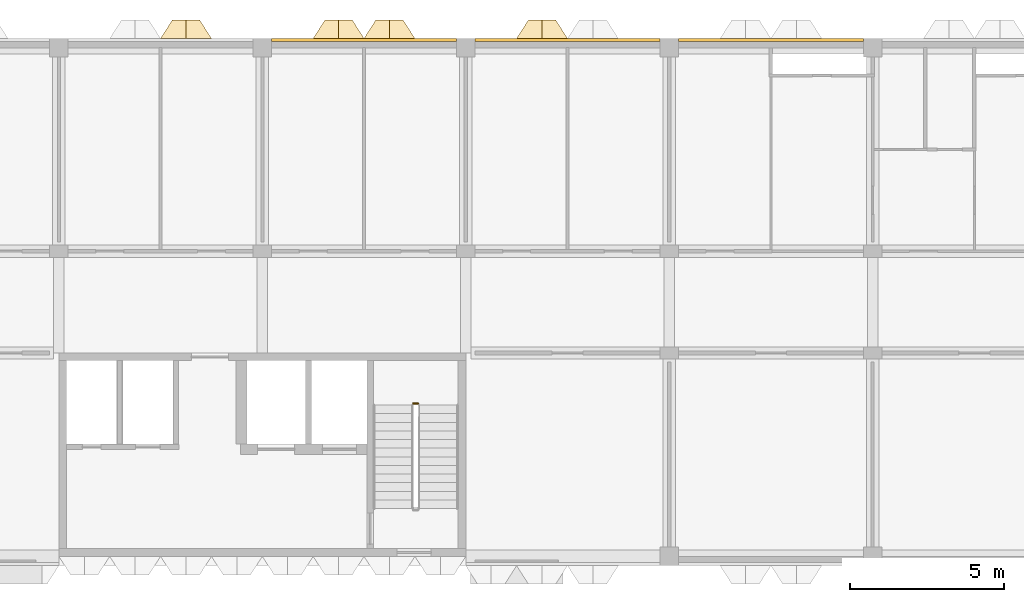
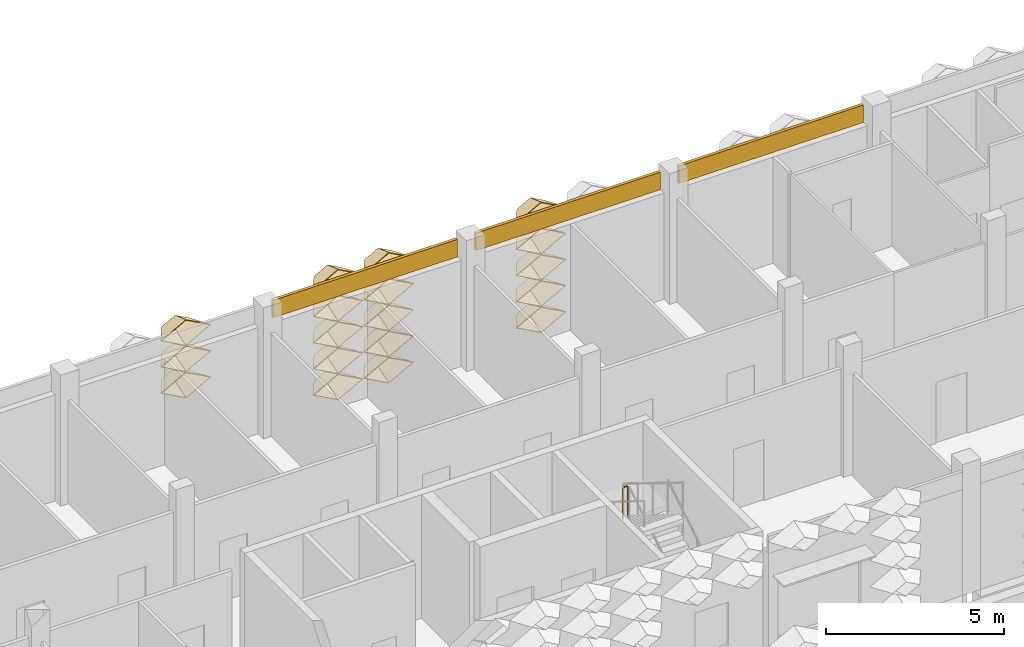
# One storey, part 81 of 87: 21 coverings, 1 railing.
"""IFC4 building model written with IfcOpenShell, lengths in metres."""

from ifc_helpers import new_model, entity, si_unit, direction, frame, frame_2d, origin, origin_2d, place, context, subcontext, project, spatial, rectangle, circle, extrude, material, layer, layer_set, type_object, element, save


model = new_model("IFC4")

# Units and contexts
model_context = context("Model", 3, precision=1e-05, world=origin(), true_north=direction((0.0, 1.0)))
body_context = subcontext(model_context, "Body", "Model", "MODEL_VIEW")
ifc_project = project(units=[si_unit("LENGTHUNIT", "METRE"), si_unit("AREAUNIT", "SQUARE_METRE"), si_unit("VOLUMEUNIT", "CUBIC_METRE"), si_unit("PLANEANGLEUNIT", "RADIAN"), si_unit("MASSUNIT", "GRAM", prefix="KILO")], contexts=[model_context])

# Site, building, storey
site_placement = place(None, origin())
site = spatial("IfcSite", under=ifc_project, at=site_placement, CompositionType="ELEMENT")
building_placement = place(site_placement, origin())
building = spatial("IfcBuilding", under=site, at=building_placement, Name="Lantern Court Research Institute", CompositionType="ELEMENT")
storey_placement = place(building_placement, frame((0.0, 0.0, 5.39990234375)))
storey = spatial("IfcBuildingStorey", under=building, at=storey_placement, Name="L01", CompositionType="ELEMENT", Elevation=5.39990234375)

# Coverings
ifc_material_1 = material(Name="Aluminium composite panel with mineral wool insulation", Category="aluminium")
ifc_layer_1 = layer(ifc_material_1, 0.10009765625)
ifc_layer_set_1 = layer_set([ifc_layer_1], Name="Aluminium composite panel with mineral wool insulation")
covering_type_1 = type_object("IfcCoveringType", Name="Edge fascia panel 100 aluminium faced", PredefinedType="CLADDING", material=ifc_layer_set_1)
for number, where, z_axis, x_axis, name in (
    (1, (46.5, 99.25, 3.650146484375), (0.0, 0.0, 1.0), (1.0, 0.0, 0.0), "Edge fascia V6N L01 07"),
    (2, (53.10009765625, 99.25, 3.650146484375), (0.0, 0.0, 1.0), (1.0, 0.0, 0.0), "Edge fascia V6N L01 08"),
    (3, (59.699951171875, 99.25, 3.650146484375), (0.0, 0.0, 1.0), (1.0, 0.0, 0.0), "Edge fascia V6N L01 09"),
):
    element("IfcCovering", number, at=place(storey_placement, frame(where, z_axis=z_axis, x_axis=x_axis)), inside=storey, type_object=covering_type_1, Name=name, PredefinedType="CLADDING", context=body_context, shape_type="SweptSolid", body=[
        extrude(rectangle(XDim=6.0, YDim=0.10009765625, at=frame_2d((3.0, 0.0))), origin(), (0.0, 0.0, 1.0), 0.599853515625),
    ])
ifc_material_2 = material(Name="Anodised aluminium", Category="aluminium")
ifc_layer_2 = layer(ifc_material_2, 0.01611328125)
ifc_layer_set_2 = layer_set([ifc_layer_2], Name="Anodised aluminium")
covering_type_2 = type_object("IfcCoveringType", Name="Fin cassette 1650 x 900 x 600 aluminium", PredefinedType="CLADDING", material=ifc_layer_set_2)
covering_1_placement = place(storey_placement, frame((48.675048828125, 99.300048828125, 0.4501953125), z_axis=(0.0, 1.0, 0.0), x_axis=(-1.0, 0.0, 0.0)))
cartesian_point_1 = entity("IfcCartesianPoint", [0.824951171875, 0.0])
cartesian_point_2 = entity("IfcCartesianPoint", [0.79150390625, 0.0])
cartesian_point_3 = entity("IfcCartesianPoint", [0.44189453125, 0.0])
cartesian_point_4 = entity("IfcCartesianPoint", [0.43359375, 0.0])
element("IfcCovering", 4, at=covering_1_placement, inside=storey, type_object=covering_type_2, Name="Fin cassette V6N-L01 1.30", PredefinedType="CLADDING", context=body_context, shape_type="SweptSolid", body=[
    entity("IfcExtrudedAreaSolidTapered", entity("IfcArbitraryProfileDefWithVoids", "AREA", None, entity("IfcPolyline", [cartesian_point_1, entity("IfcCartesianPoint", [0.0, 0.449951171875]), entity("IfcCartesianPoint", [-0.824951171875, 0.0]), entity("IfcCartesianPoint", [0.0, -0.449951171875]), cartesian_point_1]), [entity("IfcPolyline", [cartesian_point_2, entity("IfcCartesianPoint", [0.0, 0.431884765625]), entity("IfcCartesianPoint", [-0.79150390625, 0.0]), entity("IfcCartesianPoint", [0.0, -0.431884765625]), cartesian_point_2])]), entity("IfcAxis2Placement3D", entity("IfcCartesianPoint", [0.0, 0.0, 0.0])), entity("IfcDirection", [0.0, 0.0, 1.0]), 0.60009765625, entity("IfcArbitraryProfileDefWithVoids", "AREA", None, entity("IfcPolyline", [cartesian_point_3, entity("IfcCartesianPoint", [0.0, 0.240966796875]), entity("IfcCartesianPoint", [-0.44189453125, 0.0]), entity("IfcCartesianPoint", [0.0, -0.240966796875]), cartesian_point_3]), [entity("IfcPolyline", [cartesian_point_4, entity("IfcCartesianPoint", [0.0, 0.236572265625]), entity("IfcCartesianPoint", [-0.43359375, 0.0]), entity("IfcCartesianPoint", [0.0, -0.236572265625]), cartesian_point_4])])),
])
covering_2_placement = place(storey_placement, frame((50.324951171875, 99.300048828125, 0.4501953125), z_axis=(0.0, 1.0, 0.0), x_axis=(-1.0, 0.0, 0.0)))
cartesian_point_5 = entity("IfcCartesianPoint", [0.824951171875, 0.0])
cartesian_point_6 = entity("IfcCartesianPoint", [0.79150390625, 0.0])
cartesian_point_7 = entity("IfcCartesianPoint", [0.44189453125, 0.0])
cartesian_point_8 = entity("IfcCartesianPoint", [0.43359375, 0.0])
element("IfcCovering", 5, at=covering_2_placement, inside=storey, type_object=covering_type_2, Name="Fin cassette V6N-L01 1.31", PredefinedType="CLADDING", context=body_context, shape_type="SweptSolid", body=[
    entity("IfcExtrudedAreaSolidTapered", entity("IfcArbitraryProfileDefWithVoids", "AREA", None, entity("IfcPolyline", [cartesian_point_5, entity("IfcCartesianPoint", [0.0, 0.449951171875]), entity("IfcCartesianPoint", [-0.824951171875, 0.0]), entity("IfcCartesianPoint", [0.0, -0.449951171875]), cartesian_point_5]), [entity("IfcPolyline", [cartesian_point_6, entity("IfcCartesianPoint", [0.0, 0.431884765625]), entity("IfcCartesianPoint", [-0.79150390625, 0.0]), entity("IfcCartesianPoint", [0.0, -0.431884765625]), cartesian_point_6])]), entity("IfcAxis2Placement3D", entity("IfcCartesianPoint", [0.0, 0.0, 0.0])), entity("IfcDirection", [0.0, 0.0, 1.0]), 0.60009765625, entity("IfcArbitraryProfileDefWithVoids", "AREA", None, entity("IfcPolyline", [cartesian_point_7, entity("IfcCartesianPoint", [0.0, 0.240966796875]), entity("IfcCartesianPoint", [-0.44189453125, 0.0]), entity("IfcCartesianPoint", [0.0, -0.240966796875]), cartesian_point_7]), [entity("IfcPolyline", [cartesian_point_8, entity("IfcCartesianPoint", [0.0, 0.236572265625]), entity("IfcCartesianPoint", [-0.43359375, 0.0]), entity("IfcCartesianPoint", [0.0, -0.236572265625]), cartesian_point_8])])),
])
covering_3_placement = place(storey_placement, frame((55.27490234375, 99.300048828125, 0.4501953125), z_axis=(0.0, 1.0, 0.0), x_axis=(-1.0, 0.0, 0.0)))
cartesian_point_9 = entity("IfcCartesianPoint", [0.824951171875, 0.0])
cartesian_point_10 = entity("IfcCartesianPoint", [0.79150390625, 0.0])
cartesian_point_11 = entity("IfcCartesianPoint", [0.44189453125, 0.0])
cartesian_point_12 = entity("IfcCartesianPoint", [0.43359375, 0.0])
element("IfcCovering", 6, at=covering_3_placement, inside=storey, type_object=covering_type_2, Name="Fin cassette V6N-L01 1.34", PredefinedType="CLADDING", context=body_context, shape_type="SweptSolid", body=[
    entity("IfcExtrudedAreaSolidTapered", entity("IfcArbitraryProfileDefWithVoids", "AREA", None, entity("IfcPolyline", [cartesian_point_9, entity("IfcCartesianPoint", [0.0, 0.449951171875]), entity("IfcCartesianPoint", [-0.824951171875, 0.0]), entity("IfcCartesianPoint", [0.0, -0.449951171875]), cartesian_point_9]), [entity("IfcPolyline", [cartesian_point_10, entity("IfcCartesianPoint", [0.0, 0.431884765625]), entity("IfcCartesianPoint", [-0.79150390625, 0.0]), entity("IfcCartesianPoint", [0.0, -0.431884765625]), cartesian_point_10])]), entity("IfcAxis2Placement3D", entity("IfcCartesianPoint", [0.0, 0.0, 0.0])), entity("IfcDirection", [0.0, 0.0, 1.0]), 0.60009765625, entity("IfcArbitraryProfileDefWithVoids", "AREA", None, entity("IfcPolyline", [cartesian_point_11, entity("IfcCartesianPoint", [0.0, 0.240966796875]), entity("IfcCartesianPoint", [-0.44189453125, 0.0]), entity("IfcCartesianPoint", [0.0, -0.240966796875]), cartesian_point_11]), [entity("IfcPolyline", [cartesian_point_12, entity("IfcCartesianPoint", [0.0, 0.236572265625]), entity("IfcCartesianPoint", [-0.43359375, 0.0]), entity("IfcCartesianPoint", [0.0, -0.236572265625]), cartesian_point_12])])),
])
covering_4_placement = place(storey_placement, frame((48.675048828125, 99.300048828125, 1.35009765625), z_axis=(0.0, 1.0, 0.0), x_axis=(-1.0, 0.0, 0.0)))
cartesian_point_13 = entity("IfcCartesianPoint", [0.824951171875, 0.0])
cartesian_point_14 = entity("IfcCartesianPoint", [0.79150390625, 0.0])
cartesian_point_15 = entity("IfcCartesianPoint", [0.44189453125, 0.0])
cartesian_point_16 = entity("IfcCartesianPoint", [0.43359375, 0.0])
element("IfcCovering", 7, at=covering_4_placement, inside=storey, type_object=covering_type_2, Name="Fin cassette V6N-L01 2.30", PredefinedType="CLADDING", context=body_context, shape_type="SweptSolid", body=[
    entity("IfcExtrudedAreaSolidTapered", entity("IfcArbitraryProfileDefWithVoids", "AREA", None, entity("IfcPolyline", [cartesian_point_13, entity("IfcCartesianPoint", [0.0, 0.449951171875]), entity("IfcCartesianPoint", [-0.824951171875, 0.0]), entity("IfcCartesianPoint", [0.0, -0.449951171875]), cartesian_point_13]), [entity("IfcPolyline", [cartesian_point_14, entity("IfcCartesianPoint", [0.0, 0.431884765625]), entity("IfcCartesianPoint", [-0.79150390625, 0.0]), entity("IfcCartesianPoint", [0.0, -0.431884765625]), cartesian_point_14])]), entity("IfcAxis2Placement3D", entity("IfcCartesianPoint", [0.0, 0.0, 0.0])), entity("IfcDirection", [0.0, 0.0, 1.0]), 0.60009765625, entity("IfcArbitraryProfileDefWithVoids", "AREA", None, entity("IfcPolyline", [cartesian_point_15, entity("IfcCartesianPoint", [0.0, 0.240966796875]), entity("IfcCartesianPoint", [-0.44189453125, 0.0]), entity("IfcCartesianPoint", [0.0, -0.240966796875]), cartesian_point_15]), [entity("IfcPolyline", [cartesian_point_16, entity("IfcCartesianPoint", [0.0, 0.236572265625]), entity("IfcCartesianPoint", [-0.43359375, 0.0]), entity("IfcCartesianPoint", [0.0, -0.236572265625]), cartesian_point_16])])),
])
covering_5_placement = place(storey_placement, frame((50.324951171875, 99.300048828125, 1.35009765625), z_axis=(0.0, 1.0, 0.0), x_axis=(-1.0, 0.0, 0.0)))
cartesian_point_17 = entity("IfcCartesianPoint", [0.824951171875, 0.0])
cartesian_point_18 = entity("IfcCartesianPoint", [0.79150390625, 0.0])
cartesian_point_19 = entity("IfcCartesianPoint", [0.44189453125, 0.0])
cartesian_point_20 = entity("IfcCartesianPoint", [0.43359375, 0.0])
element("IfcCovering", 8, at=covering_5_placement, inside=storey, type_object=covering_type_2, Name="Fin cassette V6N-L01 2.31", PredefinedType="CLADDING", context=body_context, shape_type="SweptSolid", body=[
    entity("IfcExtrudedAreaSolidTapered", entity("IfcArbitraryProfileDefWithVoids", "AREA", None, entity("IfcPolyline", [cartesian_point_17, entity("IfcCartesianPoint", [0.0, 0.449951171875]), entity("IfcCartesianPoint", [-0.824951171875, 0.0]), entity("IfcCartesianPoint", [0.0, -0.449951171875]), cartesian_point_17]), [entity("IfcPolyline", [cartesian_point_18, entity("IfcCartesianPoint", [0.0, 0.431884765625]), entity("IfcCartesianPoint", [-0.79150390625, 0.0]), entity("IfcCartesianPoint", [0.0, -0.431884765625]), cartesian_point_18])]), entity("IfcAxis2Placement3D", entity("IfcCartesianPoint", [0.0, 0.0, 0.0])), entity("IfcDirection", [0.0, 0.0, 1.0]), 0.60009765625, entity("IfcArbitraryProfileDefWithVoids", "AREA", None, entity("IfcPolyline", [cartesian_point_19, entity("IfcCartesianPoint", [0.0, 0.240966796875]), entity("IfcCartesianPoint", [-0.44189453125, 0.0]), entity("IfcCartesianPoint", [0.0, -0.240966796875]), cartesian_point_19]), [entity("IfcPolyline", [cartesian_point_20, entity("IfcCartesianPoint", [0.0, 0.236572265625]), entity("IfcCartesianPoint", [-0.43359375, 0.0]), entity("IfcCartesianPoint", [0.0, -0.236572265625]), cartesian_point_20])])),
])
covering_6_placement = place(storey_placement, frame((55.27490234375, 99.300048828125, 1.35009765625), z_axis=(0.0, 1.0, 0.0), x_axis=(-1.0, 0.0, 0.0)))
cartesian_point_21 = entity("IfcCartesianPoint", [0.824951171875, 0.0])
cartesian_point_22 = entity("IfcCartesianPoint", [0.79150390625, 0.0])
cartesian_point_23 = entity("IfcCartesianPoint", [0.44189453125, 0.0])
cartesian_point_24 = entity("IfcCartesianPoint", [0.43359375, 0.0])
element("IfcCovering", 9, at=covering_6_placement, inside=storey, type_object=covering_type_2, Name="Fin cassette V6N-L01 2.34", PredefinedType="CLADDING", context=body_context, shape_type="SweptSolid", body=[
    entity("IfcExtrudedAreaSolidTapered", entity("IfcArbitraryProfileDefWithVoids", "AREA", None, entity("IfcPolyline", [cartesian_point_21, entity("IfcCartesianPoint", [0.0, 0.449951171875]), entity("IfcCartesianPoint", [-0.824951171875, 0.0]), entity("IfcCartesianPoint", [0.0, -0.449951171875]), cartesian_point_21]), [entity("IfcPolyline", [cartesian_point_22, entity("IfcCartesianPoint", [0.0, 0.431884765625]), entity("IfcCartesianPoint", [-0.79150390625, 0.0]), entity("IfcCartesianPoint", [0.0, -0.431884765625]), cartesian_point_22])]), entity("IfcAxis2Placement3D", entity("IfcCartesianPoint", [0.0, 0.0, 0.0])), entity("IfcDirection", [0.0, 0.0, 1.0]), 0.60009765625, entity("IfcArbitraryProfileDefWithVoids", "AREA", None, entity("IfcPolyline", [cartesian_point_23, entity("IfcCartesianPoint", [0.0, 0.240966796875]), entity("IfcCartesianPoint", [-0.44189453125, 0.0]), entity("IfcCartesianPoint", [0.0, -0.240966796875]), cartesian_point_23]), [entity("IfcPolyline", [cartesian_point_24, entity("IfcCartesianPoint", [0.0, 0.236572265625]), entity("IfcCartesianPoint", [-0.43359375, 0.0]), entity("IfcCartesianPoint", [0.0, -0.236572265625]), cartesian_point_24])])),
])
covering_7_placement = place(storey_placement, frame((43.72509765625, 99.300048828125, 2.25), z_axis=(0.0, 1.0, 0.0), x_axis=(-1.0, 0.0, 0.0)))
cartesian_point_25 = entity("IfcCartesianPoint", [0.824951171875, 0.0])
cartesian_point_26 = entity("IfcCartesianPoint", [0.79150390625, 0.0])
cartesian_point_27 = entity("IfcCartesianPoint", [0.44189453125, 0.0])
cartesian_point_28 = entity("IfcCartesianPoint", [0.43359375, 0.0])
element("IfcCovering", 10, at=covering_7_placement, inside=storey, type_object=covering_type_2, Name="Fin cassette V6N-L01 3.27", PredefinedType="CLADDING", context=body_context, shape_type="SweptSolid", body=[
    entity("IfcExtrudedAreaSolidTapered", entity("IfcArbitraryProfileDefWithVoids", "AREA", None, entity("IfcPolyline", [cartesian_point_25, entity("IfcCartesianPoint", [0.0, 0.449951171875]), entity("IfcCartesianPoint", [-0.824951171875, 0.0]), entity("IfcCartesianPoint", [0.0, -0.449951171875]), cartesian_point_25]), [entity("IfcPolyline", [cartesian_point_26, entity("IfcCartesianPoint", [0.0, 0.431884765625]), entity("IfcCartesianPoint", [-0.79150390625, 0.0]), entity("IfcCartesianPoint", [0.0, -0.431884765625]), cartesian_point_26])]), entity("IfcAxis2Placement3D", entity("IfcCartesianPoint", [0.0, 0.0, 0.0])), entity("IfcDirection", [0.0, 0.0, 1.0]), 0.60009765625, entity("IfcArbitraryProfileDefWithVoids", "AREA", None, entity("IfcPolyline", [cartesian_point_27, entity("IfcCartesianPoint", [0.0, 0.240966796875]), entity("IfcCartesianPoint", [-0.44189453125, 0.0]), entity("IfcCartesianPoint", [0.0, -0.240966796875]), cartesian_point_27]), [entity("IfcPolyline", [cartesian_point_28, entity("IfcCartesianPoint", [0.0, 0.236572265625]), entity("IfcCartesianPoint", [-0.43359375, 0.0]), entity("IfcCartesianPoint", [0.0, -0.236572265625]), cartesian_point_28])])),
])
covering_8_placement = place(storey_placement, frame((48.675048828125, 99.300048828125, 2.25), z_axis=(0.0, 1.0, 0.0), x_axis=(-1.0, 0.0, 0.0)))
cartesian_point_29 = entity("IfcCartesianPoint", [0.824951171875, 0.0])
cartesian_point_30 = entity("IfcCartesianPoint", [0.79150390625, 0.0])
cartesian_point_31 = entity("IfcCartesianPoint", [0.44189453125, 0.0])
cartesian_point_32 = entity("IfcCartesianPoint", [0.43359375, 0.0])
element("IfcCovering", 11, at=covering_8_placement, inside=storey, type_object=covering_type_2, Name="Fin cassette V6N-L01 3.30", PredefinedType="CLADDING", context=body_context, shape_type="SweptSolid", body=[
    entity("IfcExtrudedAreaSolidTapered", entity("IfcArbitraryProfileDefWithVoids", "AREA", None, entity("IfcPolyline", [cartesian_point_29, entity("IfcCartesianPoint", [0.0, 0.449951171875]), entity("IfcCartesianPoint", [-0.824951171875, 0.0]), entity("IfcCartesianPoint", [0.0, -0.449951171875]), cartesian_point_29]), [entity("IfcPolyline", [cartesian_point_30, entity("IfcCartesianPoint", [0.0, 0.431884765625]), entity("IfcCartesianPoint", [-0.79150390625, 0.0]), entity("IfcCartesianPoint", [0.0, -0.431884765625]), cartesian_point_30])]), entity("IfcAxis2Placement3D", entity("IfcCartesianPoint", [0.0, 0.0, 0.0])), entity("IfcDirection", [0.0, 0.0, 1.0]), 0.60009765625, entity("IfcArbitraryProfileDefWithVoids", "AREA", None, entity("IfcPolyline", [cartesian_point_31, entity("IfcCartesianPoint", [0.0, 0.240966796875]), entity("IfcCartesianPoint", [-0.44189453125, 0.0]), entity("IfcCartesianPoint", [0.0, -0.240966796875]), cartesian_point_31]), [entity("IfcPolyline", [cartesian_point_32, entity("IfcCartesianPoint", [0.0, 0.236572265625]), entity("IfcCartesianPoint", [-0.43359375, 0.0]), entity("IfcCartesianPoint", [0.0, -0.236572265625]), cartesian_point_32])])),
])
covering_9_placement = place(storey_placement, frame((50.324951171875, 99.300048828125, 2.25), z_axis=(0.0, 1.0, 0.0), x_axis=(-1.0, 0.0, 0.0)))
cartesian_point_33 = entity("IfcCartesianPoint", [0.824951171875, 0.0])
cartesian_point_34 = entity("IfcCartesianPoint", [0.79150390625, 0.0])
cartesian_point_35 = entity("IfcCartesianPoint", [0.44189453125, 0.0])
cartesian_point_36 = entity("IfcCartesianPoint", [0.43359375, 0.0])
element("IfcCovering", 12, at=covering_9_placement, inside=storey, type_object=covering_type_2, Name="Fin cassette V6N-L01 3.31", PredefinedType="CLADDING", context=body_context, shape_type="SweptSolid", body=[
    entity("IfcExtrudedAreaSolidTapered", entity("IfcArbitraryProfileDefWithVoids", "AREA", None, entity("IfcPolyline", [cartesian_point_33, entity("IfcCartesianPoint", [0.0, 0.449951171875]), entity("IfcCartesianPoint", [-0.824951171875, 0.0]), entity("IfcCartesianPoint", [0.0, -0.449951171875]), cartesian_point_33]), [entity("IfcPolyline", [cartesian_point_34, entity("IfcCartesianPoint", [0.0, 0.431884765625]), entity("IfcCartesianPoint", [-0.79150390625, 0.0]), entity("IfcCartesianPoint", [0.0, -0.431884765625]), cartesian_point_34])]), entity("IfcAxis2Placement3D", entity("IfcCartesianPoint", [0.0, 0.0, 0.0])), entity("IfcDirection", [0.0, 0.0, 1.0]), 0.60009765625, entity("IfcArbitraryProfileDefWithVoids", "AREA", None, entity("IfcPolyline", [cartesian_point_35, entity("IfcCartesianPoint", [0.0, 0.240966796875]), entity("IfcCartesianPoint", [-0.44189453125, 0.0]), entity("IfcCartesianPoint", [0.0, -0.240966796875]), cartesian_point_35]), [entity("IfcPolyline", [cartesian_point_36, entity("IfcCartesianPoint", [0.0, 0.236572265625]), entity("IfcCartesianPoint", [-0.43359375, 0.0]), entity("IfcCartesianPoint", [0.0, -0.236572265625]), cartesian_point_36])])),
])
covering_10_placement = place(storey_placement, frame((55.27490234375, 99.300048828125, 2.25), z_axis=(0.0, 1.0, 0.0), x_axis=(-1.0, 0.0, 0.0)))
cartesian_point_37 = entity("IfcCartesianPoint", [0.824951171875, 0.0])
cartesian_point_38 = entity("IfcCartesianPoint", [0.79150390625, 0.0])
cartesian_point_39 = entity("IfcCartesianPoint", [0.44189453125, 0.0])
cartesian_point_40 = entity("IfcCartesianPoint", [0.43359375, 0.0])
element("IfcCovering", 13, at=covering_10_placement, inside=storey, type_object=covering_type_2, Name="Fin cassette V6N-L01 3.34", PredefinedType="CLADDING", context=body_context, shape_type="SweptSolid", body=[
    entity("IfcExtrudedAreaSolidTapered", entity("IfcArbitraryProfileDefWithVoids", "AREA", None, entity("IfcPolyline", [cartesian_point_37, entity("IfcCartesianPoint", [0.0, 0.449951171875]), entity("IfcCartesianPoint", [-0.824951171875, 0.0]), entity("IfcCartesianPoint", [0.0, -0.449951171875]), cartesian_point_37]), [entity("IfcPolyline", [cartesian_point_38, entity("IfcCartesianPoint", [0.0, 0.431884765625]), entity("IfcCartesianPoint", [-0.79150390625, 0.0]), entity("IfcCartesianPoint", [0.0, -0.431884765625]), cartesian_point_38])]), entity("IfcAxis2Placement3D", entity("IfcCartesianPoint", [0.0, 0.0, 0.0])), entity("IfcDirection", [0.0, 0.0, 1.0]), 0.60009765625, entity("IfcArbitraryProfileDefWithVoids", "AREA", None, entity("IfcPolyline", [cartesian_point_39, entity("IfcCartesianPoint", [0.0, 0.240966796875]), entity("IfcCartesianPoint", [-0.44189453125, 0.0]), entity("IfcCartesianPoint", [0.0, -0.240966796875]), cartesian_point_39]), [entity("IfcPolyline", [cartesian_point_40, entity("IfcCartesianPoint", [0.0, 0.236572265625]), entity("IfcCartesianPoint", [-0.43359375, 0.0]), entity("IfcCartesianPoint", [0.0, -0.236572265625]), cartesian_point_40])])),
])
covering_11_placement = place(storey_placement, frame((43.72509765625, 99.300048828125, 3.150146484375), z_axis=(0.0, 1.0, 0.0), x_axis=(-1.0, 0.0, 0.0)))
cartesian_point_41 = entity("IfcCartesianPoint", [0.824951171875, 0.0])
cartesian_point_42 = entity("IfcCartesianPoint", [0.79150390625, 0.0])
cartesian_point_43 = entity("IfcCartesianPoint", [0.44189453125, 0.0])
cartesian_point_44 = entity("IfcCartesianPoint", [0.43359375, 0.0])
element("IfcCovering", 14, at=covering_11_placement, inside=storey, type_object=covering_type_2, Name="Fin cassette V6N-L01 4.27", PredefinedType="CLADDING", context=body_context, shape_type="SweptSolid", body=[
    entity("IfcExtrudedAreaSolidTapered", entity("IfcArbitraryProfileDefWithVoids", "AREA", None, entity("IfcPolyline", [cartesian_point_41, entity("IfcCartesianPoint", [0.0, 0.449951171875]), entity("IfcCartesianPoint", [-0.824951171875, 0.0]), entity("IfcCartesianPoint", [0.0, -0.449951171875]), cartesian_point_41]), [entity("IfcPolyline", [cartesian_point_42, entity("IfcCartesianPoint", [0.0, 0.431884765625]), entity("IfcCartesianPoint", [-0.79150390625, 0.0]), entity("IfcCartesianPoint", [0.0, -0.431884765625]), cartesian_point_42])]), entity("IfcAxis2Placement3D", entity("IfcCartesianPoint", [0.0, 0.0, 0.0])), entity("IfcDirection", [0.0, 0.0, 1.0]), 0.60009765625, entity("IfcArbitraryProfileDefWithVoids", "AREA", None, entity("IfcPolyline", [cartesian_point_43, entity("IfcCartesianPoint", [0.0, 0.240966796875]), entity("IfcCartesianPoint", [-0.44189453125, 0.0]), entity("IfcCartesianPoint", [0.0, -0.240966796875]), cartesian_point_43]), [entity("IfcPolyline", [cartesian_point_44, entity("IfcCartesianPoint", [0.0, 0.236572265625]), entity("IfcCartesianPoint", [-0.43359375, 0.0]), entity("IfcCartesianPoint", [0.0, -0.236572265625]), cartesian_point_44])])),
])
covering_12_placement = place(storey_placement, frame((48.675048828125, 99.300048828125, 3.150146484375), z_axis=(0.0, 1.0, 0.0), x_axis=(-1.0, 0.0, 0.0)))
cartesian_point_45 = entity("IfcCartesianPoint", [0.824951171875, 0.0])
cartesian_point_46 = entity("IfcCartesianPoint", [0.79150390625, 0.0])
cartesian_point_47 = entity("IfcCartesianPoint", [0.44189453125, 0.0])
cartesian_point_48 = entity("IfcCartesianPoint", [0.43359375, 0.0])
element("IfcCovering", 15, at=covering_12_placement, inside=storey, type_object=covering_type_2, Name="Fin cassette V6N-L01 4.30", PredefinedType="CLADDING", context=body_context, shape_type="SweptSolid", body=[
    entity("IfcExtrudedAreaSolidTapered", entity("IfcArbitraryProfileDefWithVoids", "AREA", None, entity("IfcPolyline", [cartesian_point_45, entity("IfcCartesianPoint", [0.0, 0.449951171875]), entity("IfcCartesianPoint", [-0.824951171875, 0.0]), entity("IfcCartesianPoint", [0.0, -0.449951171875]), cartesian_point_45]), [entity("IfcPolyline", [cartesian_point_46, entity("IfcCartesianPoint", [0.0, 0.431884765625]), entity("IfcCartesianPoint", [-0.79150390625, 0.0]), entity("IfcCartesianPoint", [0.0, -0.431884765625]), cartesian_point_46])]), entity("IfcAxis2Placement3D", entity("IfcCartesianPoint", [0.0, 0.0, 0.0])), entity("IfcDirection", [0.0, 0.0, 1.0]), 0.60009765625, entity("IfcArbitraryProfileDefWithVoids", "AREA", None, entity("IfcPolyline", [cartesian_point_47, entity("IfcCartesianPoint", [0.0, 0.240966796875]), entity("IfcCartesianPoint", [-0.44189453125, 0.0]), entity("IfcCartesianPoint", [0.0, -0.240966796875]), cartesian_point_47]), [entity("IfcPolyline", [cartesian_point_48, entity("IfcCartesianPoint", [0.0, 0.236572265625]), entity("IfcCartesianPoint", [-0.43359375, 0.0]), entity("IfcCartesianPoint", [0.0, -0.236572265625]), cartesian_point_48])])),
])
covering_13_placement = place(storey_placement, frame((50.324951171875, 99.300048828125, 3.150146484375), z_axis=(0.0, 1.0, 0.0), x_axis=(-1.0, 0.0, 0.0)))
cartesian_point_49 = entity("IfcCartesianPoint", [0.824951171875, 0.0])
cartesian_point_50 = entity("IfcCartesianPoint", [0.79150390625, 0.0])
cartesian_point_51 = entity("IfcCartesianPoint", [0.44189453125, 0.0])
cartesian_point_52 = entity("IfcCartesianPoint", [0.43359375, 0.0])
element("IfcCovering", 16, at=covering_13_placement, inside=storey, type_object=covering_type_2, Name="Fin cassette V6N-L01 4.31", PredefinedType="CLADDING", context=body_context, shape_type="SweptSolid", body=[
    entity("IfcExtrudedAreaSolidTapered", entity("IfcArbitraryProfileDefWithVoids", "AREA", None, entity("IfcPolyline", [cartesian_point_49, entity("IfcCartesianPoint", [0.0, 0.449951171875]), entity("IfcCartesianPoint", [-0.824951171875, 0.0]), entity("IfcCartesianPoint", [0.0, -0.449951171875]), cartesian_point_49]), [entity("IfcPolyline", [cartesian_point_50, entity("IfcCartesianPoint", [0.0, 0.431884765625]), entity("IfcCartesianPoint", [-0.79150390625, 0.0]), entity("IfcCartesianPoint", [0.0, -0.431884765625]), cartesian_point_50])]), entity("IfcAxis2Placement3D", entity("IfcCartesianPoint", [0.0, 0.0, 0.0])), entity("IfcDirection", [0.0, 0.0, 1.0]), 0.60009765625, entity("IfcArbitraryProfileDefWithVoids", "AREA", None, entity("IfcPolyline", [cartesian_point_51, entity("IfcCartesianPoint", [0.0, 0.240966796875]), entity("IfcCartesianPoint", [-0.44189453125, 0.0]), entity("IfcCartesianPoint", [0.0, -0.240966796875]), cartesian_point_51]), [entity("IfcPolyline", [cartesian_point_52, entity("IfcCartesianPoint", [0.0, 0.236572265625]), entity("IfcCartesianPoint", [-0.43359375, 0.0]), entity("IfcCartesianPoint", [0.0, -0.236572265625]), cartesian_point_52])])),
])
covering_14_placement = place(storey_placement, frame((55.27490234375, 99.300048828125, 3.150146484375), z_axis=(0.0, 1.0, 0.0), x_axis=(-1.0, 0.0, 0.0)))
cartesian_point_53 = entity("IfcCartesianPoint", [0.824951171875, 0.0])
cartesian_point_54 = entity("IfcCartesianPoint", [0.79150390625, 0.0])
cartesian_point_55 = entity("IfcCartesianPoint", [0.44189453125, 0.0])
cartesian_point_56 = entity("IfcCartesianPoint", [0.43359375, 0.0])
element("IfcCovering", 17, at=covering_14_placement, inside=storey, type_object=covering_type_2, Name="Fin cassette V6N-L01 4.34", PredefinedType="CLADDING", context=body_context, shape_type="SweptSolid", body=[
    entity("IfcExtrudedAreaSolidTapered", entity("IfcArbitraryProfileDefWithVoids", "AREA", None, entity("IfcPolyline", [cartesian_point_53, entity("IfcCartesianPoint", [0.0, 0.449951171875]), entity("IfcCartesianPoint", [-0.824951171875, 0.0]), entity("IfcCartesianPoint", [0.0, -0.449951171875]), cartesian_point_53]), [entity("IfcPolyline", [cartesian_point_54, entity("IfcCartesianPoint", [0.0, 0.431884765625]), entity("IfcCartesianPoint", [-0.79150390625, 0.0]), entity("IfcCartesianPoint", [0.0, -0.431884765625]), cartesian_point_54])]), entity("IfcAxis2Placement3D", entity("IfcCartesianPoint", [0.0, 0.0, 0.0])), entity("IfcDirection", [0.0, 0.0, 1.0]), 0.60009765625, entity("IfcArbitraryProfileDefWithVoids", "AREA", None, entity("IfcPolyline", [cartesian_point_55, entity("IfcCartesianPoint", [0.0, 0.240966796875]), entity("IfcCartesianPoint", [-0.44189453125, 0.0]), entity("IfcCartesianPoint", [0.0, -0.240966796875]), cartesian_point_55]), [entity("IfcPolyline", [cartesian_point_56, entity("IfcCartesianPoint", [0.0, 0.236572265625]), entity("IfcCartesianPoint", [-0.43359375, 0.0]), entity("IfcCartesianPoint", [0.0, -0.236572265625]), cartesian_point_56])])),
])
covering_15_placement = place(storey_placement, frame((43.72509765625, 99.300048828125, 4.050048828125), z_axis=(0.0, 1.0, 0.0), x_axis=(-1.0, 0.0, 0.0)))
cartesian_point_57 = entity("IfcCartesianPoint", [0.824951171875, 0.0])
cartesian_point_58 = entity("IfcCartesianPoint", [0.79150390625, 0.0])
cartesian_point_59 = entity("IfcCartesianPoint", [0.44189453125, 0.0])
cartesian_point_60 = entity("IfcCartesianPoint", [0.43359375, 0.0])
element("IfcCovering", 18, at=covering_15_placement, inside=storey, type_object=covering_type_2, Name="Fin cassette V6N-L01 5.27", PredefinedType="CLADDING", context=body_context, shape_type="SweptSolid", body=[
    entity("IfcExtrudedAreaSolidTapered", entity("IfcArbitraryProfileDefWithVoids", "AREA", None, entity("IfcPolyline", [cartesian_point_57, entity("IfcCartesianPoint", [0.0, 0.449951171875]), entity("IfcCartesianPoint", [-0.824951171875, 0.0]), entity("IfcCartesianPoint", [0.0, -0.449951171875]), cartesian_point_57]), [entity("IfcPolyline", [cartesian_point_58, entity("IfcCartesianPoint", [0.0, 0.431884765625]), entity("IfcCartesianPoint", [-0.79150390625, 0.0]), entity("IfcCartesianPoint", [0.0, -0.431884765625]), cartesian_point_58])]), entity("IfcAxis2Placement3D", entity("IfcCartesianPoint", [0.0, 0.0, 0.0])), entity("IfcDirection", [0.0, 0.0, 1.0]), 0.60009765625, entity("IfcArbitraryProfileDefWithVoids", "AREA", None, entity("IfcPolyline", [cartesian_point_59, entity("IfcCartesianPoint", [0.0, 0.240966796875]), entity("IfcCartesianPoint", [-0.44189453125, 0.0]), entity("IfcCartesianPoint", [0.0, -0.240966796875]), cartesian_point_59]), [entity("IfcPolyline", [cartesian_point_60, entity("IfcCartesianPoint", [0.0, 0.236572265625]), entity("IfcCartesianPoint", [-0.43359375, 0.0]), entity("IfcCartesianPoint", [0.0, -0.236572265625]), cartesian_point_60])])),
])
covering_16_placement = place(storey_placement, frame((48.675048828125, 99.300048828125, 4.050048828125), z_axis=(0.0, 1.0, 0.0), x_axis=(-1.0, 0.0, 0.0)))
cartesian_point_61 = entity("IfcCartesianPoint", [0.824951171875, 0.0])
cartesian_point_62 = entity("IfcCartesianPoint", [0.79150390625, 0.0])
cartesian_point_63 = entity("IfcCartesianPoint", [0.44189453125, 0.0])
cartesian_point_64 = entity("IfcCartesianPoint", [0.43359375, 0.0])
element("IfcCovering", 19, at=covering_16_placement, inside=storey, type_object=covering_type_2, Name="Fin cassette V6N-L01 5.30", PredefinedType="CLADDING", context=body_context, shape_type="SweptSolid", body=[
    entity("IfcExtrudedAreaSolidTapered", entity("IfcArbitraryProfileDefWithVoids", "AREA", None, entity("IfcPolyline", [cartesian_point_61, entity("IfcCartesianPoint", [0.0, 0.449951171875]), entity("IfcCartesianPoint", [-0.824951171875, 0.0]), entity("IfcCartesianPoint", [0.0, -0.449951171875]), cartesian_point_61]), [entity("IfcPolyline", [cartesian_point_62, entity("IfcCartesianPoint", [0.0, 0.431884765625]), entity("IfcCartesianPoint", [-0.79150390625, 0.0]), entity("IfcCartesianPoint", [0.0, -0.431884765625]), cartesian_point_62])]), entity("IfcAxis2Placement3D", entity("IfcCartesianPoint", [0.0, 0.0, 0.0])), entity("IfcDirection", [0.0, 0.0, 1.0]), 0.60009765625, entity("IfcArbitraryProfileDefWithVoids", "AREA", None, entity("IfcPolyline", [cartesian_point_63, entity("IfcCartesianPoint", [0.0, 0.240966796875]), entity("IfcCartesianPoint", [-0.44189453125, 0.0]), entity("IfcCartesianPoint", [0.0, -0.240966796875]), cartesian_point_63]), [entity("IfcPolyline", [cartesian_point_64, entity("IfcCartesianPoint", [0.0, 0.236572265625]), entity("IfcCartesianPoint", [-0.43359375, 0.0]), entity("IfcCartesianPoint", [0.0, -0.236572265625]), cartesian_point_64])])),
])
covering_17_placement = place(storey_placement, frame((50.324951171875, 99.300048828125, 4.050048828125), z_axis=(0.0, 1.0, 0.0), x_axis=(-1.0, 0.0, 0.0)))
cartesian_point_65 = entity("IfcCartesianPoint", [0.824951171875, 0.0])
cartesian_point_66 = entity("IfcCartesianPoint", [0.79150390625, 0.0])
cartesian_point_67 = entity("IfcCartesianPoint", [0.44189453125, 0.0])
cartesian_point_68 = entity("IfcCartesianPoint", [0.43359375, 0.0])
element("IfcCovering", 20, at=covering_17_placement, inside=storey, type_object=covering_type_2, Name="Fin cassette V6N-L01 5.31", PredefinedType="CLADDING", context=body_context, shape_type="SweptSolid", body=[
    entity("IfcExtrudedAreaSolidTapered", entity("IfcArbitraryProfileDefWithVoids", "AREA", None, entity("IfcPolyline", [cartesian_point_65, entity("IfcCartesianPoint", [0.0, 0.449951171875]), entity("IfcCartesianPoint", [-0.824951171875, 0.0]), entity("IfcCartesianPoint", [0.0, -0.449951171875]), cartesian_point_65]), [entity("IfcPolyline", [cartesian_point_66, entity("IfcCartesianPoint", [0.0, 0.431884765625]), entity("IfcCartesianPoint", [-0.79150390625, 0.0]), entity("IfcCartesianPoint", [0.0, -0.431884765625]), cartesian_point_66])]), entity("IfcAxis2Placement3D", entity("IfcCartesianPoint", [0.0, 0.0, 0.0])), entity("IfcDirection", [0.0, 0.0, 1.0]), 0.60009765625, entity("IfcArbitraryProfileDefWithVoids", "AREA", None, entity("IfcPolyline", [cartesian_point_67, entity("IfcCartesianPoint", [0.0, 0.240966796875]), entity("IfcCartesianPoint", [-0.44189453125, 0.0]), entity("IfcCartesianPoint", [0.0, -0.240966796875]), cartesian_point_67]), [entity("IfcPolyline", [cartesian_point_68, entity("IfcCartesianPoint", [0.0, 0.236572265625]), entity("IfcCartesianPoint", [-0.43359375, 0.0]), entity("IfcCartesianPoint", [0.0, -0.236572265625]), cartesian_point_68])])),
])
covering_18_placement = place(storey_placement, frame((55.27490234375, 99.300048828125, 4.050048828125), z_axis=(0.0, 1.0, 0.0), x_axis=(-1.0, 0.0, 0.0)))
cartesian_point_69 = entity("IfcCartesianPoint", [0.824951171875, 0.0])
cartesian_point_70 = entity("IfcCartesianPoint", [0.79150390625, 0.0])
cartesian_point_71 = entity("IfcCartesianPoint", [0.44189453125, 0.0])
cartesian_point_72 = entity("IfcCartesianPoint", [0.43359375, 0.0])
element("IfcCovering", 21, at=covering_18_placement, inside=storey, type_object=covering_type_2, Name="Fin cassette V6N-L01 5.34", PredefinedType="CLADDING", context=body_context, shape_type="SweptSolid", body=[
    entity("IfcExtrudedAreaSolidTapered", entity("IfcArbitraryProfileDefWithVoids", "AREA", None, entity("IfcPolyline", [cartesian_point_69, entity("IfcCartesianPoint", [0.0, 0.449951171875]), entity("IfcCartesianPoint", [-0.824951171875, 0.0]), entity("IfcCartesianPoint", [0.0, -0.449951171875]), cartesian_point_69]), [entity("IfcPolyline", [cartesian_point_70, entity("IfcCartesianPoint", [0.0, 0.431884765625]), entity("IfcCartesianPoint", [-0.79150390625, 0.0]), entity("IfcCartesianPoint", [0.0, -0.431884765625]), cartesian_point_70])]), entity("IfcAxis2Placement3D", entity("IfcCartesianPoint", [0.0, 0.0, 0.0])), entity("IfcDirection", [0.0, 0.0, 1.0]), 0.60009765625, entity("IfcArbitraryProfileDefWithVoids", "AREA", None, entity("IfcPolyline", [cartesian_point_71, entity("IfcCartesianPoint", [0.0, 0.240966796875]), entity("IfcCartesianPoint", [-0.44189453125, 0.0]), entity("IfcCartesianPoint", [0.0, -0.240966796875]), cartesian_point_71]), [entity("IfcPolyline", [cartesian_point_72, entity("IfcCartesianPoint", [0.0, 0.236572265625]), entity("IfcCartesianPoint", [-0.43359375, 0.0]), entity("IfcCartesianPoint", [0.0, -0.236572265625]), cartesian_point_72])])),
])

# Railing
ifc_material_3 = material(Name="Structural steel S355", Category="steel")
railing_type = type_object("IfcRailingType", Name="Stair guard 1100 steel", PredefinedType="GUARDRAIL", material=ifc_material_3)
railing_placement = place(storey_placement, frame((51.25, 87.4599609375, 2.25)))
element("IfcRailing", 22, at=railing_placement, inside=storey, type_object=railing_type, Name="L01 ST-W2 stair guard 2", PredefinedType="GUARDRAIL", context=body_context, shape_type="SweptSolid", body=[
    extrude(circle(Radius=0.02392578125, at=origin_2d()), frame((0.0, 0.0, 1.076171875), z_axis=(-1.0, 0.0, 0.0), x_axis=(0.0, -1.0, 0.0)), (0.0, 0.0, 1.0), 0.14990234375),
    extrude(circle(Radius=0.02099609375, at=origin_2d()), origin(), (0.0, 0.0, 1.0), 1.052001953125),
    extrude(circle(Radius=0.02099609375, at=origin_2d()), frame((-0.14990234375, 0.0, 0.0)), (0.0, 0.0, 1.0), 1.052001953125),
])

save(model, "model.ifc")
